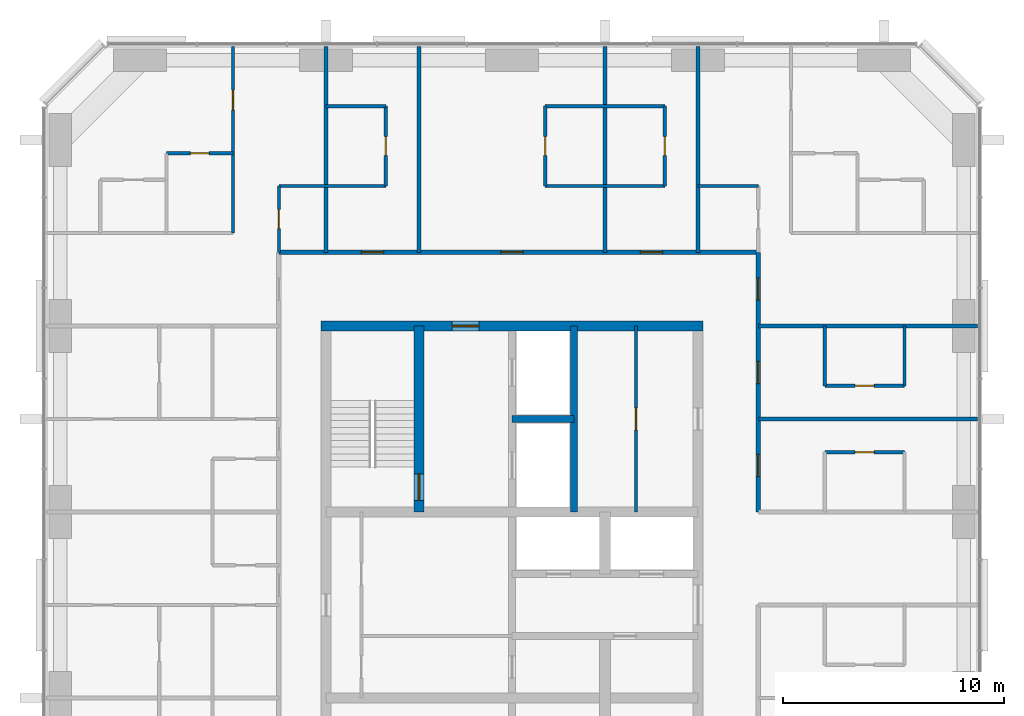
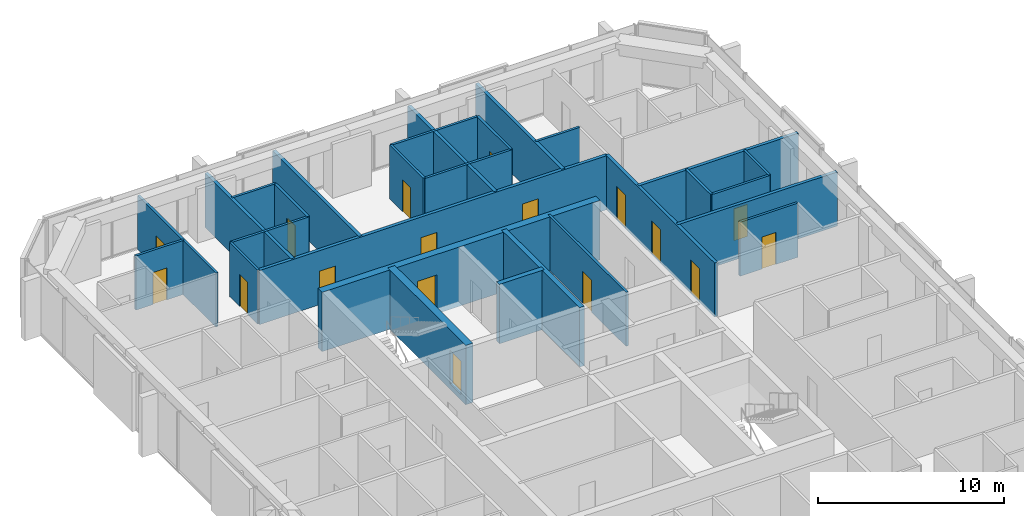
# One storey, part 10 of 12: 28 walls, 17 doors, 17 openings.
"""IFC4 building model written with IfcOpenShell, lengths in metres."""

from ifc_helpers import new_model, si_unit, direction, frame, frame_2d, origin, place, context, subcontext, project, spatial, rectangle, extrude, material, layer, layer_set, type_object, element, fill, save


model = new_model("IFC4")

# Units and contexts
model_context = context("Model", 3, precision=1e-05, world=origin(), true_north=direction((0.0, 1.0)))
body_context = subcontext(model_context, "Body", "Model", "MODEL_VIEW")
ifc_project = project(units=[si_unit("LENGTHUNIT", "METRE"), si_unit("AREAUNIT", "SQUARE_METRE"), si_unit("VOLUMEUNIT", "CUBIC_METRE"), si_unit("PLANEANGLEUNIT", "RADIAN"), si_unit("MASSUNIT", "GRAM", prefix="KILO")], contexts=[model_context])

# Site, building, storey
site_placement = place(None, origin())
site = spatial("IfcSite", under=ifc_project, at=site_placement, CompositionType="ELEMENT")
building_placement = place(site_placement, origin())
building = spatial("IfcBuilding", under=site, at=building_placement, Name="Dunama Terrace Hotel", CompositionType="ELEMENT")
storey_placement = place(building_placement, frame((0.0, 0.0, 256.800048828125)))
storey = spatial("IfcBuildingStorey", under=building, at=storey_placement, Name="L66", CompositionType="ELEMENT", Elevation=256.800048828125)

# Wall, opening, door
ifc_material_1 = material(Name="Gypsum board partition", Category="masonry")
ifc_layer_1 = layer(ifc_material_1, 0.14990234375)
ifc_layer_set_1 = layer_set([ifc_layer_1], Name="Bathroom partition 150")
wall_type_1 = type_object("IfcWallType", Name="Bathroom partition 150", PredefinedType="PARTITIONING", material=ifc_layer_set_1)
wall_1_placement = place(storey_placement, frame((23.074951171875, 45.324951171875, 0.0), z_axis=(0.0, 0.0, 1.0), x_axis=(0.0, 1.0, 0.0)))
wall_1 = element("IfcWall", 1, at=wall_1_placement, inside=storey, type_object=wall_type_1, Name="Bathroom partition 150 L66", PredefinedType="PARTITIONING", context=body_context, shape_type="SweptSolid", body=[
    extrude(rectangle(XDim=3.0, YDim=0.14990234375, at=frame_2d((1.5, 0.0))), origin(), (0.0, 0.0, 1.0), 3.550048828125),
])
opening_1_placement = place(wall_1_placement, frame((1.074951171875, 0.0, 0.0)))
opening_1 = element("IfcOpeningElement", 2, at=opening_1_placement, cuts=wall_1, Name="Opening L65-67-060", PredefinedType="OPENING", context=body_context, shape_type="SweptSolid", body=[
    extrude(rectangle(XDim=0.85009765625, YDim=2.10009765625, at=frame_2d((0.425048828125, 1.050048828125))), frame((0.0, 0.0849609375, 0.0), z_axis=(0.0, -1.0, 0.0), x_axis=(1.0, 0.0, 0.0)), (0.0, 0.0, 1.0), 0.169921875),
])
ifc_material_2 = material(Name="Timber door with steel frame", Category="steel")
door_type_1 = type_object("IfcDoorType", Name="Bathroom door 850", OperationType="SINGLE_SWING_LEFT", PredefinedType="DOOR", material=ifc_material_2)
door_1_placement = place(opening_1_placement, frame((0.85009765625, 0.0, 0.0), z_axis=(0.0, 0.0, 1.0), x_axis=(-1.0, 0.0, 0.0)))
door_1 = element("IfcDoor", 3, at=door_1_placement, inside=storey, type_object=door_type_1, Name="Door to powder room L65-67-060, type D2", OperationType="SINGLE_SWING_RIGHT", OverallHeight=2.10009765625, OverallWidth=0.85009765625, PredefinedType="DOOR", context=body_context, shape_type="SweptSolid", body=[
    extrude(rectangle(XDim=0.85009765625, YDim=2.10009765625, at=frame_2d((0.425048828125, 1.050048828125))), frame((0.0, 0.025146484375, 0.0), z_axis=(0.0, -1.0, 0.0), x_axis=(1.0, 0.0, 0.0)), (0.0, 0.0, 1.0), 0.050048828125),
])
fill(opening_1, door_1)

wall_2_placement = place(storey_placement, frame((27.89990234375, 48.324951171875, 0.0), z_axis=(0.0, 0.0, 1.0), x_axis=(0.0, 1.0, 0.0)))
wall_2 = element("IfcWall", 4, at=wall_2_placement, inside=storey, type_object=wall_type_1, Name="Bathroom partition 150 L66", PredefinedType="PARTITIONING", context=body_context, shape_type="SweptSolid", body=[
    extrude(rectangle(XDim=3.60009765625, YDim=0.14990234375, at=frame_2d((1.800048828125, 0.0))), origin(), (0.0, 0.0, 1.0), 3.550048828125),
])
opening_2_placement = place(wall_2_placement, frame((1.375, 0.0, 0.0)))
opening_2 = element("IfcOpeningElement", 5, at=opening_2_placement, cuts=wall_2, Name="Opening L65-67-024", PredefinedType="OPENING", context=body_context, shape_type="SweptSolid", body=[
    extrude(rectangle(XDim=0.85009765625, YDim=2.10009765625, at=frame_2d((0.425048828125, 1.050048828125))), frame((0.0, 0.0849609375, 0.0), z_axis=(0.0, -1.0, 0.0), x_axis=(1.0, 0.0, 0.0)), (0.0, 0.0, 1.0), 0.169921875),
])
door_2_placement = place(opening_2_placement, origin())
door_2 = element("IfcDoor", 6, at=door_2_placement, inside=storey, type_object=door_type_1, Name="Door to en-suite bathroom L65-67-024, type D2", OperationType="SINGLE_SWING_RIGHT", OverallHeight=2.10009765625, OverallWidth=0.85009765625, PredefinedType="DOOR", context=body_context, shape_type="SweptSolid", body=[
    extrude(rectangle(XDim=0.85009765625, YDim=2.10009765625, at=frame_2d((0.425048828125, 1.050048828125))), frame((0.0, 0.02490234375, 0.0), z_axis=(0.0, -1.0, 0.0), x_axis=(1.0, 0.0, 0.0)), (0.0, 0.0, 1.0), 0.050048828125),
])
fill(opening_2, door_2)

wall_3_placement = place(storey_placement, frame((35.10009765625, 48.324951171875, 0.0), z_axis=(0.0, 0.0, 1.0), x_axis=(0.0, 1.0, 0.0)))
wall_3 = element("IfcWall", 7, at=wall_3_placement, inside=storey, type_object=wall_type_1, Name="Bathroom partition 150 L66", PredefinedType="PARTITIONING", context=body_context, shape_type="SweptSolid", body=[
    extrude(rectangle(XDim=3.60009765625, YDim=0.14990234375, at=frame_2d((1.800048828125, 0.0))), origin(), (0.0, 0.0, 1.0), 3.550048828125),
])
opening_3_placement = place(wall_3_placement, frame((1.375, 0.0, 0.0)))
opening_3 = element("IfcOpeningElement", 8, at=opening_3_placement, cuts=wall_3, Name="Opening L65-67-026", PredefinedType="OPENING", context=body_context, shape_type="SweptSolid", body=[
    extrude(rectangle(XDim=0.85009765625, YDim=2.10009765625, at=frame_2d((0.425048828125, 1.050048828125))), frame((0.0, 0.0849609375, 0.0), z_axis=(0.0, -1.0, 0.0), x_axis=(1.0, 0.0, 0.0)), (0.0, 0.0, 1.0), 0.169921875),
])
door_3_placement = place(opening_3_placement, frame((0.85009765625, 0.0, 0.0), z_axis=(0.0, 0.0, 1.0), x_axis=(-1.0, 0.0, 0.0)))
door_3 = element("IfcDoor", 9, at=door_3_placement, inside=storey, type_object=door_type_1, Name="Door to en-suite bathroom L65-67-026, type D2", OperationType="SINGLE_SWING_LEFT", OverallHeight=2.10009765625, OverallWidth=0.85009765625, PredefinedType="DOOR", context=body_context, shape_type="SweptSolid", body=[
    extrude(rectangle(XDim=0.85009765625, YDim=2.10009765625, at=frame_2d((0.425048828125, 1.050048828125))), frame((0.0, 0.025146484375, 0.0), z_axis=(0.0, -1.0, 0.0), x_axis=(1.0, 0.0, 0.0)), (0.0, 0.0, 1.0), 0.050048828125),
])
fill(opening_3, door_3)

wall_4_placement = place(storey_placement, frame((40.5, 48.324951171875, 0.0), z_axis=(0.0, 0.0, 1.0), x_axis=(0.0, 1.0, 0.0)))
wall_4 = element("IfcWall", 10, at=wall_4_placement, inside=storey, type_object=wall_type_1, Name="Bathroom partition 150 L66", PredefinedType="PARTITIONING", context=body_context, shape_type="SweptSolid", body=[
    extrude(rectangle(XDim=3.60009765625, YDim=0.14990234375, at=frame_2d((1.800048828125, 0.0))), origin(), (0.0, 0.0, 1.0), 3.550048828125),
])
opening_4_placement = place(wall_4_placement, frame((1.375, 0.0, 0.0)))
opening_4 = element("IfcOpeningElement", 11, at=opening_4_placement, cuts=wall_4, Name="Opening L65-67-028", PredefinedType="OPENING", context=body_context, shape_type="SweptSolid", body=[
    extrude(rectangle(XDim=0.85009765625, YDim=2.10009765625, at=frame_2d((0.425048828125, 1.050048828125))), frame((0.0, 0.0849609375, 0.0), z_axis=(0.0, -1.0, 0.0), x_axis=(1.0, 0.0, 0.0)), (0.0, 0.0, 1.0), 0.169921875),
])
door_4_placement = place(opening_4_placement, origin())
door_4 = element("IfcDoor", 12, at=door_4_placement, inside=storey, type_object=door_type_1, Name="Door to en-suite bathroom L65-67-028, type D2", OperationType="SINGLE_SWING_RIGHT", OverallHeight=2.10009765625, OverallWidth=0.85009765625, PredefinedType="DOOR", context=body_context, shape_type="SweptSolid", body=[
    extrude(rectangle(XDim=0.85009765625, YDim=2.10009765625, at=frame_2d((0.425048828125, 1.050048828125))), frame((0.0, 0.02490234375, 0.0), z_axis=(0.0, -1.0, 0.0), x_axis=(1.0, 0.0, 0.0)), (0.0, 0.0, 1.0), 0.050048828125),
])
fill(opening_4, door_4)

# Walls
for number, where, z_axis, x_axis, name in (
    (13, (47.72509765625, 39.300048828125, 0.0), (0.0, 0.0, 1.0), (0.0, 1.0, 0.0), "Bathroom partition 150 L66"),
    (14, (51.324951171875, 39.300048828125, 0.0), (0.0, 0.0, 1.0), (0.0, 1.0, 0.0), "Bathroom partition 150 L66"),
):
    element("IfcWall", number, at=place(storey_placement, frame(where, z_axis=z_axis, x_axis=x_axis)), inside=storey, type_object=wall_type_1, Name=name, PredefinedType="PARTITIONING", context=body_context, shape_type="SweptSolid", body=[
        extrude(rectangle(XDim=2.699951171875, YDim=0.14990234375, at=frame_2d((1.35009765625, 0.0))), origin(), (0.0, 0.0, 1.0), 3.550048828125),
    ])

# Wall, opening, door
wall_5_placement = place(storey_placement, frame((47.72509765625, 36.300048828125, 0.0), z_axis=(0.0, 0.0, 1.0), x_axis=(1.0, 0.0, 0.0)))
wall_5 = element("IfcWall", 15, at=wall_5_placement, inside=storey, type_object=wall_type_1, Name="Bathroom partition 150 L66", PredefinedType="PARTITIONING", context=body_context, shape_type="SweptSolid", body=[
    extrude(rectangle(XDim=3.599853515625, YDim=0.14990234375, at=frame_2d((1.7998046875, 0.0))), origin(), (0.0, 0.0, 1.0), 3.550048828125),
])
opening_5_placement = place(wall_5_placement, frame((1.375, 0.0, 0.0)))
opening_5 = element("IfcOpeningElement", 16, at=opening_5_placement, cuts=wall_5, Name="Opening L65-67-020", PredefinedType="OPENING", context=body_context, shape_type="SweptSolid", body=[
    extrude(rectangle(XDim=0.85009765625, YDim=2.10009765625, at=frame_2d((0.425048828125, 1.050048828125))), frame((0.0, 0.0849609375, 0.0), z_axis=(0.0, -1.0, 0.0), x_axis=(1.0, 0.0, 0.0)), (0.0, 0.0, 1.0), 0.169921875),
])
door_5_placement = place(opening_5_placement, frame((0.85009765625, 0.0, 0.0), z_axis=(0.0, 0.0, 1.0), x_axis=(-1.0, 0.0, 0.0)))
door_5 = element("IfcDoor", 17, at=door_5_placement, inside=storey, type_object=door_type_1, Name="Door to en-suite bathroom L65-67-020, type D2", OperationType="SINGLE_SWING_RIGHT", OverallHeight=2.10009765625, OverallWidth=0.85009765625, PredefinedType="DOOR", context=body_context, shape_type="SweptSolid", body=[
    extrude(rectangle(XDim=0.85009765625, YDim=2.10009765625, at=frame_2d((0.425048828125, 1.050048828125))), frame((0.0, 0.025146484375, 0.0), z_axis=(0.0, -1.0, 0.0), x_axis=(1.0, 0.0, 0.0)), (0.0, 0.0, 1.0), 0.050048828125),
])
fill(opening_5, door_5)

wall_6_placement = place(storey_placement, frame((47.72509765625, 39.300048828125, 0.0), z_axis=(0.0, 0.0, 1.0), x_axis=(1.0, 0.0, 0.0)))
wall_6 = element("IfcWall", 18, at=wall_6_placement, inside=storey, type_object=wall_type_1, Name="Bathroom partition 150 L66", PredefinedType="PARTITIONING", context=body_context, shape_type="SweptSolid", body=[
    extrude(rectangle(XDim=3.599853515625, YDim=0.14990234375, at=frame_2d((1.7998046875, 0.0))), origin(), (0.0, 0.0, 1.0), 3.550048828125),
])
opening_6_placement = place(wall_6_placement, frame((1.375, 0.0, 0.0)))
opening_6 = element("IfcOpeningElement", 19, at=opening_6_placement, cuts=wall_6, Name="Opening L65-67-022", PredefinedType="OPENING", context=body_context, shape_type="SweptSolid", body=[
    extrude(rectangle(XDim=0.85009765625, YDim=2.10009765625, at=frame_2d((0.425048828125, 1.050048828125))), frame((0.0, 0.0849609375, 0.0), z_axis=(0.0, -1.0, 0.0), x_axis=(1.0, 0.0, 0.0)), (0.0, 0.0, 1.0), 0.169921875),
])
door_6_placement = place(opening_6_placement, origin())
door_6 = element("IfcDoor", 20, at=door_6_placement, inside=storey, type_object=door_type_1, Name="Door to en-suite bathroom L65-67-022, type D2", OperationType="SINGLE_SWING_LEFT", OverallHeight=2.10009765625, OverallWidth=0.85009765625, PredefinedType="DOOR", context=body_context, shape_type="SweptSolid", body=[
    extrude(rectangle(XDim=0.85009765625, YDim=2.10009765625, at=frame_2d((0.425048828125, 1.050048828125))), frame((0.0, 0.02490234375, 0.0), z_axis=(0.0, -1.0, 0.0), x_axis=(1.0, 0.0, 0.0)), (0.0, 0.0, 1.0), 0.050048828125),
])
fill(opening_6, door_6)

# Walls
wall_7_placement = place(storey_placement, frame((23.074951171875, 48.324951171875, 0.0), z_axis=(0.0, 0.0, 1.0), x_axis=(1.0, 0.0, 0.0)))
element("IfcWall", 21, at=wall_7_placement, inside=storey, type_object=wall_type_1, Name="Bathroom partition 150 L66", PredefinedType="PARTITIONING", context=body_context, shape_type="SweptSolid", body=[
    extrude(rectangle(XDim=4.824951171875, YDim=0.14990234375, at=frame_2d((2.41259765625, 0.0))), origin(), (0.0, 0.0, 1.0), 3.550048828125),
])
wall_8_placement = place(storey_placement, frame((35.10009765625, 48.324951171875, 0.0), z_axis=(0.0, 0.0, 1.0), x_axis=(1.0, 0.0, 0.0)))
element("IfcWall", 22, at=wall_8_placement, inside=storey, type_object=wall_type_1, Name="Bathroom partition 150 L66", PredefinedType="PARTITIONING", context=body_context, shape_type="SweptSolid", body=[
    extrude(rectangle(XDim=5.39990234375, YDim=0.14990234375, at=frame_2d((2.699951171875, 0.0))), origin(), (0.0, 0.0, 1.0), 3.550048828125),
])
wall_9_placement = place(storey_placement, frame((42.0, 48.324951171875, 0.0), z_axis=(0.0, 0.0, 1.0), x_axis=(1.0, 0.0, 0.0)))
element("IfcWall", 23, at=wall_9_placement, inside=storey, type_object=wall_type_1, Name="Bathroom partition 150 L66", PredefinedType="PARTITIONING", context=body_context, shape_type="SweptSolid", body=[
    extrude(rectangle(XDim=2.72509765625, YDim=0.14990234375, at=frame_2d((1.362548828125, 0.0))), origin(), (0.0, 0.0, 1.0), 3.550048828125),
])

# Wall, opening, door
wall_10_placement = place(storey_placement, frame((18.0, 49.800048828125, 0.0), z_axis=(0.0, 0.0, 1.0), x_axis=(1.0, 0.0, 0.0)))
wall_10 = element("IfcWall", 24, at=wall_10_placement, inside=storey, type_object=wall_type_1, Name="Bathroom partition 150 L66", PredefinedType="PARTITIONING", context=body_context, shape_type="SweptSolid", body=[
    extrude(rectangle(XDim=3.0, YDim=0.14990234375, at=frame_2d((1.5, 0.0))), origin(), (0.0, 0.0, 1.0), 3.550048828125),
])
opening_7_placement = place(wall_10_placement, frame((1.074951171875, 0.0, 0.0)))
opening_7 = element("IfcOpeningElement", 25, at=opening_7_placement, cuts=wall_10, Name="Opening L65-67-062", PredefinedType="OPENING", context=body_context, shape_type="SweptSolid", body=[
    extrude(rectangle(XDim=0.85009765625, YDim=2.10009765625, at=frame_2d((0.425048828125, 1.050048828125))), frame((0.0, 0.0849609375, 0.0), z_axis=(0.0, -1.0, 0.0), x_axis=(1.0, 0.0, 0.0)), (0.0, 0.0, 1.0), 0.169921875),
])
door_7_placement = place(opening_7_placement, frame((0.85009765625, 0.0, 0.0), z_axis=(0.0, 0.0, 1.0), x_axis=(-1.0, 0.0, 0.0)))
door_7 = element("IfcDoor", 26, at=door_7_placement, inside=storey, type_object=door_type_1, Name="Door to en-suite bathroom L65-67-062, type D2", OperationType="SINGLE_SWING_RIGHT", OverallHeight=2.10009765625, OverallWidth=0.85009765625, PredefinedType="DOOR", context=body_context, shape_type="SweptSolid", body=[
    extrude(rectangle(XDim=0.85009765625, YDim=2.10009765625, at=frame_2d((0.425048828125, 1.050048828125))), frame((0.0, 0.025146484375, 0.0), z_axis=(0.0, -1.0, 0.0), x_axis=(1.0, 0.0, 0.0)), (0.0, 0.0, 1.0), 0.050048828125),
])
fill(opening_7, door_7)

# Walls
wall_11_placement = place(storey_placement, frame((25.199951171875, 51.925048828125, 0.0), z_axis=(0.0, 0.0, 1.0), x_axis=(1.0, 0.0, 0.0)))
element("IfcWall", 27, at=wall_11_placement, inside=storey, type_object=wall_type_1, Name="Bathroom partition 150 L66", PredefinedType="PARTITIONING", context=body_context, shape_type="SweptSolid", body=[
    extrude(rectangle(XDim=2.699951171875, YDim=0.14990234375, at=frame_2d((1.35009765625, 0.0))), origin(), (0.0, 0.0, 1.0), 3.550048828125),
])
wall_12_placement = place(storey_placement, frame((35.10009765625, 51.925048828125, 0.0), z_axis=(0.0, 0.0, 1.0), x_axis=(1.0, 0.0, 0.0)))
element("IfcWall", 28, at=wall_12_placement, inside=storey, type_object=wall_type_1, Name="Bathroom partition 150 L66", PredefinedType="PARTITIONING", context=body_context, shape_type="SweptSolid", body=[
    extrude(rectangle(XDim=5.39990234375, YDim=0.14990234375, at=frame_2d((2.699951171875, 0.0))), origin(), (0.0, 0.0, 1.0), 3.550048828125),
])
ifc_material_3 = material(Name="Concrete C50/60", Category="concrete")
ifc_layer_2 = layer(ifc_material_3, 0.300048828125)
ifc_layer_set_2 = layer_set([ifc_layer_2], Name="Core inner wall 300")
wall_type_2 = type_object("IfcWallType", Name="Core inner wall 300", PredefinedType="SHEAR", material=ifc_layer_set_2)
wall_13_placement = place(storey_placement, frame((36.39990234375, 33.60009765625, -0.35009765625), z_axis=(0.0, 0.0, 1.0), x_axis=(0.0, 1.0, 0.0)))
element("IfcWall", 29, at=wall_13_placement, inside=storey, type_object=wall_type_2, Name="Core inner wall 300 L66", PredefinedType="SHEAR", context=body_context, shape_type="SweptSolid", body=[
    extrude(rectangle(XDim=8.39990234375, YDim=0.300048828125, at=frame_2d((4.199951171875, 0.0))), origin(), (0.0, 0.0, 1.0), 3.900146484375),
])
wall_14_placement = place(storey_placement, frame((33.60009765625, 37.800048828125, -0.35009765625), z_axis=(0.0, 0.0, 1.0), x_axis=(1.0, 0.0, 0.0)))
element("IfcWall", 30, at=wall_14_placement, inside=storey, type_object=wall_type_2, Name="Core inner wall 300 L66", PredefinedType="SHEAR", context=body_context, shape_type="SweptSolid", body=[
    extrude(rectangle(XDim=2.7998046875, YDim=0.300048828125, at=frame_2d((1.39990234375, 0.0))), origin(), (0.0, 0.0, 1.0), 3.900146484375),
])

# Wall, opening, door
ifc_material_4 = material(Name="Concrete C50/60", Category="concrete")
ifc_layer_3 = layer(ifc_material_4, 0.449951171875)
ifc_layer_set_3 = layer_set([ifc_layer_3], Name="Core inner wall 450")
wall_type_3 = type_object("IfcWallType", Name="Core inner wall 450", PredefinedType="SHEAR", material=ifc_layer_set_3)
wall_15_placement = place(storey_placement, frame((29.39990234375, 33.60009765625, -0.35009765625), z_axis=(0.0, 0.0, 1.0), x_axis=(0.0, 1.0, 0.0)))
wall_15 = element("IfcWall", 31, at=wall_15_placement, inside=storey, type_object=wall_type_3, Name="Core inner wall 450 L66", PredefinedType="SHEAR", context=body_context, shape_type="SweptSolid", body=[
    extrude(rectangle(XDim=8.39990234375, YDim=0.449951171875, at=frame_2d((4.199951171875, 0.0))), origin(), (0.0, 0.0, 1.0), 3.900146484375),
])
opening_8_placement = place(wall_15_placement, frame((0.52490234375, 0.0, 0.35009765625)))
opening_8 = element("IfcOpeningElement", 32, at=opening_8_placement, cuts=wall_15, Name="Opening L65-67-001", PredefinedType="OPENING", context=body_context, shape_type="SweptSolid", body=[
    extrude(rectangle(XDim=1.199951171875, YDim=2.199951171875, at=frame_2d((0.60009765625, 1.10009765625))), frame((0.0, 0.23486328125, 0.0), z_axis=(0.0, -1.0, 0.0), x_axis=(1.0, 0.0, 0.0)), (0.0, 0.0, 1.0), 0.469970703125),
])
ifc_material_5 = material(Name="Timber door with steel frame", Category="steel")
door_type_2 = type_object("IfcDoorType", Name="Stair door 1200", OperationType="SINGLE_SWING_LEFT", PredefinedType="DOOR", material=ifc_material_5)
door_8_placement = place(opening_8_placement, origin())
door_8 = element("IfcDoor", 33, at=door_8_placement, inside=storey, type_object=door_type_2, Name="Stair door ST1 L65-67-001, type D5", OperationType="SINGLE_SWING_LEFT", OverallHeight=2.199951171875, OverallWidth=1.199951171875, PredefinedType="DOOR", context=body_context, shape_type="SweptSolid", body=[
    extrude(rectangle(XDim=1.199951171875, YDim=2.199951171875, at=frame_2d((0.60009765625, 1.10009765625))), frame((0.0, 0.02490234375, 0.0), z_axis=(0.0, -1.0, 0.0), x_axis=(1.0, 0.0, 0.0)), (0.0, 0.0, 1.0), 0.050048828125),
])
fill(opening_8, door_8)

ifc_material_6 = material(Name="Concrete C50/60", Category="concrete")
ifc_layer_4 = layer(ifc_material_6, 0.449951171875)
ifc_layer_set_4 = layer_set([ifc_layer_4], Name="Core wall 450")
wall_type_4 = type_object("IfcWallType", Name="Core wall 450", PredefinedType="SHEAR", material=ifc_layer_set_4)
wall_16_placement = place(storey_placement, frame((42.22509765625, 42.0, -0.35009765625), z_axis=(0.0, 0.0, 1.0), x_axis=(-1.0, 0.0, 0.0)))
wall_16 = element("IfcWall", 34, at=wall_16_placement, inside=storey, type_object=wall_type_4, Name="Core wall north L66", PredefinedType="SHEAR", context=body_context, shape_type="SweptSolid", body=[
    extrude(rectangle(XDim=17.25, YDim=0.449951171875, at=frame_2d((8.625, 0.0))), origin(), (0.0, 0.0, 1.0), 3.900146484375),
])
opening_9_placement = place(wall_16_placement, frame((10.125, 0.0, 0.35009765625)))
opening_9 = element("IfcOpeningElement", 35, at=opening_9_placement, cuts=wall_16, Name="Opening L65-67-070", PredefinedType="OPENING", context=body_context, shape_type="SweptSolid", body=[
    extrude(rectangle(XDim=1.199951171875, YDim=2.199951171875, at=frame_2d((0.60009765625, 1.10009765625))), frame((0.0, 0.23486328125, 0.0), z_axis=(0.0, -1.0, 0.0), x_axis=(1.0, 0.0, 0.0)), (0.0, 0.0, 1.0), 0.469970703125),
])
ifc_material_7 = material(Name="Timber door with steel frame", Category="steel")
door_type_3 = type_object("IfcDoorType", Name="Firefighting lobby door 1200", OperationType="SINGLE_SWING_LEFT", PredefinedType="DOOR", material=ifc_material_7)
door_9_placement = place(opening_9_placement, origin())
door_9 = element("IfcDoor", 36, at=door_9_placement, inside=storey, type_object=door_type_3, Name="Door to firefighting lobby L65-67-070, type D4", OperationType="SINGLE_SWING_RIGHT", OverallHeight=2.199951171875, OverallWidth=1.199951171875, PredefinedType="DOOR", context=body_context, shape_type="SweptSolid", body=[
    extrude(rectangle(XDim=1.199951171875, YDim=2.199951171875, at=frame_2d((0.60009765625, 1.10009765625))), frame((0.0, 0.02490234375, 0.0), z_axis=(0.0, -1.0, 0.0), x_axis=(1.0, 0.0, 0.0)), (0.0, 0.0, 1.0), 0.050048828125),
])
fill(opening_9, door_9)

# Wall, openings, doors
ifc_material_8 = material(Name="Concrete blockwork", Category="masonry")
ifc_layer_5 = layer(ifc_material_8, 0.199951171875)
ifc_layer_set_5 = layer_set([ifc_layer_5], Name="Corridor partition 200")
wall_type_5 = type_object("IfcWallType", Name="Corridor partition 200", PredefinedType="PARTITIONING", material=ifc_layer_set_5)
wall_17_placement = place(storey_placement, frame((23.074951171875, 45.324951171875, 0.0), z_axis=(0.0, 0.0, 1.0), x_axis=(1.0, 0.0, 0.0)))
wall_17 = element("IfcWall", 37, at=wall_17_placement, inside=storey, type_object=wall_type_5, Name="Corridor partition 200 L66", PredefinedType="PARTITIONING", context=body_context, shape_type="SweptSolid", body=[
    extrude(rectangle(XDim=21.650146484375, YDim=0.199951171875, at=frame_2d((10.8251953125, 0.0))), origin(), (0.0, 0.0, 1.0), 3.550048828125),
])
opening_10_placement = place(wall_17_placement, frame((3.72509765625, 0.0, 0.0)))
opening_10 = element("IfcOpeningElement", 38, at=opening_10_placement, cuts=wall_17, Name="Opening L65-67-023", PredefinedType="OPENING", context=body_context, shape_type="SweptSolid", body=[
    extrude(rectangle(XDim=1.0, YDim=2.199951171875, at=frame_2d((0.5, 1.10009765625))), frame((0.0, 0.10986328125, 0.0), z_axis=(0.0, -1.0, 0.0), x_axis=(1.0, 0.0, 0.0)), (0.0, 0.0, 1.0), 0.219970703125),
])
opening_11_placement = place(wall_17_placement, frame((10.02490234375, 0.0, 0.0)))
opening_11 = element("IfcOpeningElement", 39, at=opening_11_placement, cuts=wall_17, Name="Opening L65-67-025", PredefinedType="OPENING", context=body_context, shape_type="SweptSolid", body=[
    extrude(rectangle(XDim=1.0, YDim=2.199951171875, at=frame_2d((0.5, 1.10009765625))), frame((0.0, 0.10986328125, 0.0), z_axis=(0.0, -1.0, 0.0), x_axis=(1.0, 0.0, 0.0)), (0.0, 0.0, 1.0), 0.219970703125),
])
opening_12_placement = place(wall_17_placement, frame((16.324951171875, 0.0, 0.0)))
opening_12 = element("IfcOpeningElement", 40, at=opening_12_placement, cuts=wall_17, Name="Opening L65-67-027", PredefinedType="OPENING", context=body_context, shape_type="SweptSolid", body=[
    extrude(rectangle(XDim=1.0, YDim=2.199951171875, at=frame_2d((0.5, 1.10009765625))), frame((0.0, 0.10986328125, 0.0), z_axis=(0.0, -1.0, 0.0), x_axis=(1.0, 0.0, 0.0)), (0.0, 0.0, 1.0), 0.219970703125),
])
ifc_material_9 = material(Name="Timber door with steel frame", Category="steel")
door_type_4 = type_object("IfcDoorType", Name="Guest room door 1000", OperationType="SINGLE_SWING_LEFT", PredefinedType="DOOR", material=ifc_material_9)
door_10_placement = place(opening_10_placement, origin())
door_10 = element("IfcDoor", 41, at=door_10_placement, inside=storey, type_object=door_type_4, Name="Door to studio suite L65-67-023, type D1", OperationType="SINGLE_SWING_RIGHT", OverallHeight=2.199951171875, OverallWidth=1.0, PredefinedType="DOOR", context=body_context, shape_type="SweptSolid", body=[
    extrude(rectangle(XDim=1.0, YDim=2.199951171875, at=frame_2d((0.5, 1.10009765625))), frame((0.0, 0.02490234375, 0.0), z_axis=(0.0, -1.0, 0.0), x_axis=(1.0, 0.0, 0.0)), (0.0, 0.0, 1.0), 0.050048828125),
])
fill(opening_10, door_10)
door_11_placement = place(opening_11_placement, origin())
door_11 = element("IfcDoor", 42, at=door_11_placement, inside=storey, type_object=door_type_4, Name="Door to junior suite L65-67-025, type D1", OperationType="SINGLE_SWING_RIGHT", OverallHeight=2.199951171875, OverallWidth=1.0, PredefinedType="DOOR", context=body_context, shape_type="SweptSolid", body=[
    extrude(rectangle(XDim=1.0, YDim=2.199951171875, at=frame_2d((0.5, 1.10009765625))), frame((0.0, 0.02490234375, 0.0), z_axis=(0.0, -1.0, 0.0), x_axis=(1.0, 0.0, 0.0)), (0.0, 0.0, 1.0), 0.050048828125),
])
fill(opening_11, door_11)
door_12_placement = place(opening_12_placement, origin())
door_12 = element("IfcDoor", 43, at=door_12_placement, inside=storey, type_object=door_type_4, Name="Door to studio suite L65-67-027, type D1", OperationType="SINGLE_SWING_LEFT", OverallHeight=2.199951171875, OverallWidth=1.0, PredefinedType="DOOR", context=body_context, shape_type="SweptSolid", body=[
    extrude(rectangle(XDim=1.0, YDim=2.199951171875, at=frame_2d((0.5, 1.10009765625))), frame((0.0, 0.02490234375, 0.0), z_axis=(0.0, -1.0, 0.0), x_axis=(1.0, 0.0, 0.0)), (0.0, 0.0, 1.0), 0.050048828125),
])
fill(opening_12, door_12)

wall_18_placement = place(storey_placement, frame((44.72509765625, 45.324951171875, 0.0), z_axis=(0.0, 0.0, 1.0), x_axis=(0.0, -1.0, 0.0)))
wall_18 = element("IfcWall", 44, at=wall_18_placement, inside=storey, type_object=wall_type_5, Name="Corridor partition 200 L66", PredefinedType="PARTITIONING", context=body_context, shape_type="SweptSolid", body=[
    extrude(rectangle(XDim=11.724853515625, YDim=0.199951171875, at=frame_2d((5.8623046875, 0.0))), origin(), (0.0, 0.0, 1.0), 3.550048828125),
])
opening_13_placement = place(wall_18_placement, frame((9.125, 0.0, 0.0)))
opening_13 = element("IfcOpeningElement", 45, at=opening_13_placement, cuts=wall_18, Name="Opening L65-67-019", PredefinedType="OPENING", context=body_context, shape_type="SweptSolid", body=[
    extrude(rectangle(XDim=1.0, YDim=2.199951171875, at=frame_2d((0.5, 1.10009765625))), frame((0.0, 0.10986328125, 0.0), z_axis=(0.0, -1.0, 0.0), x_axis=(1.0, 0.0, 0.0)), (0.0, 0.0, 1.0), 0.219970703125),
])
opening_14_placement = place(wall_18_placement, frame((4.925048828125, 0.0, 0.0)))
opening_14 = element("IfcOpeningElement", 46, at=opening_14_placement, cuts=wall_18, Name="Opening L65-67-021", PredefinedType="OPENING", context=body_context, shape_type="SweptSolid", body=[
    extrude(rectangle(XDim=1.0, YDim=2.199951171875, at=frame_2d((0.5, 1.10009765625))), frame((0.0, 0.10986328125, 0.0), z_axis=(0.0, -1.0, 0.0), x_axis=(1.0, 0.0, 0.0)), (0.0, 0.0, 1.0), 0.219970703125),
])
opening_15_placement = place(wall_18_placement, frame((1.162109375, 0.0, 0.0)))
opening_15 = element("IfcOpeningElement", 47, at=opening_15_placement, cuts=wall_18, Name="Opening L65-67-054", PredefinedType="OPENING", context=body_context, shape_type="SweptSolid", body=[
    extrude(rectangle(XDim=1.0, YDim=2.199951171875, at=frame_2d((0.5, 1.10009765625))), frame((0.0, 0.10986328125, 0.0), z_axis=(0.0, -1.0, 0.0), x_axis=(1.0, 0.0, 0.0)), (0.0, 0.0, 1.0), 0.219970703125),
])
door_13_placement = place(opening_13_placement, origin())
door_13 = element("IfcDoor", 48, at=door_13_placement, inside=storey, type_object=door_type_4, Name="Door to studio suite L65-67-019, type D1", OperationType="SINGLE_SWING_LEFT", OverallHeight=2.199951171875, OverallWidth=1.0, PredefinedType="DOOR", context=body_context, shape_type="SweptSolid", body=[
    extrude(rectangle(XDim=1.0, YDim=2.199951171875, at=frame_2d((0.5, 1.10009765625))), frame((0.0, 0.02490234375, 0.0), z_axis=(0.0, -1.0, 0.0), x_axis=(1.0, 0.0, 0.0)), (0.0, 0.0, 1.0), 0.050048828125),
])
fill(opening_13, door_13)
door_14_placement = place(opening_14_placement, origin())
door_14 = element("IfcDoor", 49, at=door_14_placement, inside=storey, type_object=door_type_4, Name="Door to studio suite L65-67-021, type D1", OperationType="SINGLE_SWING_LEFT", OverallHeight=2.199951171875, OverallWidth=1.0, PredefinedType="DOOR", context=body_context, shape_type="SweptSolid", body=[
    extrude(rectangle(XDim=1.0, YDim=2.199951171875, at=frame_2d((0.5, 1.10009765625))), frame((0.0, 0.02490234375, 0.0), z_axis=(0.0, -1.0, 0.0), x_axis=(1.0, 0.0, 0.0)), (0.0, 0.0, 1.0), 0.050048828125),
])
fill(opening_14, door_14)
door_15_placement = place(opening_15_placement, origin())
door_15 = element("IfcDoor", 50, at=door_15_placement, inside=storey, type_object=door_type_4, Name="Door to grand corner suite living room L65-67-054, type D1", OperationType="SINGLE_SWING_LEFT", OverallHeight=2.199951171875, OverallWidth=1.0, PredefinedType="DOOR", context=body_context, shape_type="SweptSolid", body=[
    extrude(rectangle(XDim=1.0, YDim=2.199951171875, at=frame_2d((0.5, 1.10009765625))), frame((0.0, 0.02490234375, 0.0), z_axis=(0.0, -1.0, 0.0), x_axis=(1.0, 0.0, 0.0)), (0.0, 0.0, 1.0), 0.050048828125),
])
fill(opening_15, door_15)

# Walls
ifc_material_10 = material(Name="Concrete blockwork", Category="masonry")
ifc_layer_6 = layer(ifc_material_10, 0.199951171875)
ifc_layer_set_6 = layer_set([ifc_layer_6], Name="Party wall 200")
wall_type_6 = type_object("IfcWallType", Name="Party wall 200", PredefinedType="PARTITIONING", material=ifc_layer_set_6)
for number, where, z_axis, x_axis, name in (
    (51, (25.199951171875, 45.324951171875, 0.0), (0.0, 0.0, 1.0), (0.0, 1.0, 0.0), "Party wall 200 L66"),
    (52, (29.39990234375, 45.324951171875, 0.0), (0.0, 0.0, 1.0), (0.0, 1.0, 0.0), "Party wall 200 L66"),
    (53, (37.800048828125, 45.324951171875, 0.0), (0.0, 0.0, 1.0), (0.0, 1.0, 0.0), "Party wall 200 L66"),
    (54, (42.0, 45.324951171875, 0.0), (0.0, 0.0, 1.0), (0.0, 1.0, 0.0), "Party wall 200 L66"),
):
    element("IfcWall", number, at=place(storey_placement, frame(where, z_axis=z_axis, x_axis=x_axis)), inside=storey, type_object=wall_type_6, Name=name, PredefinedType="PARTITIONING", context=body_context, shape_type="SweptSolid", body=[
        extrude(rectangle(XDim=9.29296875, YDim=0.199951171875, at=frame_2d((4.646484375, 0.0))), origin(), (0.0, 0.0, 1.0), 3.550048828125),
    ])
for number, where, z_axis, x_axis, name in (
    (55, (44.72509765625, 37.800048828125, 0.0), (0.0, 0.0, 1.0), (1.0, 0.0, 0.0), "Party wall 200 L66"),
    (56, (44.72509765625, 42.0, 0.0), (0.0, 0.0, 1.0), (1.0, 0.0, 0.0), "Party wall 200 L66"),
):
    element("IfcWall", number, at=place(storey_placement, frame(where, z_axis=z_axis, x_axis=x_axis)), inside=storey, type_object=wall_type_6, Name=name, PredefinedType="PARTITIONING", context=body_context, shape_type="SweptSolid", body=[
        extrude(rectangle(XDim=9.892822265625, YDim=0.199951171875, at=frame_2d((4.9462890625, 0.0))), origin(), (0.0, 0.0, 1.0), 3.550048828125),
    ])

# Wall, opening, door
ifc_material_11 = material(Name="Gypsum board partition", Category="masonry")
ifc_layer_7 = layer(ifc_material_11, 0.14990234375)
ifc_layer_set_7 = layer_set([ifc_layer_7], Name="Room partition 150")
wall_type_7 = type_object("IfcWallType", Name="Room partition 150", PredefinedType="PARTITIONING", material=ifc_layer_set_7)
wall_19_placement = place(storey_placement, frame((21.0, 46.199951171875, 0.0), z_axis=(0.0, 0.0, 1.0), x_axis=(0.0, 1.0, 0.0)))
wall_19 = element("IfcWall", 57, at=wall_19_placement, inside=storey, type_object=wall_type_7, Name="Room partition 150 L66", PredefinedType="PARTITIONING", context=body_context, shape_type="SweptSolid", body=[
    extrude(rectangle(XDim=8.41796875, YDim=0.14990234375, at=frame_2d((4.208984375, 0.0))), origin(), (0.0, 0.0, 1.0), 3.550048828125),
])
opening_16_placement = place(wall_19_placement, frame((5.550048828125, 0.0, 0.0)))
opening_16 = element("IfcOpeningElement", 58, at=opening_16_placement, cuts=wall_19, Name="Opening L65-67-061", PredefinedType="OPENING", context=body_context, shape_type="SweptSolid", body=[
    extrude(rectangle(XDim=0.89990234375, YDim=2.10009765625, at=frame_2d((0.449951171875, 1.050048828125))), frame((0.0, 0.0849609375, 0.0), z_axis=(0.0, -1.0, 0.0), x_axis=(1.0, 0.0, 0.0)), (0.0, 0.0, 1.0), 0.169921875),
])
ifc_material_12 = material(Name="Timber door with steel frame", Category="steel")
door_type_5 = type_object("IfcDoorType", Name="Suite internal door 900", OperationType="SINGLE_SWING_LEFT", PredefinedType="DOOR", material=ifc_material_12)
door_16_placement = place(opening_16_placement, origin())
door_16 = element("IfcDoor", 59, at=door_16_placement, inside=storey, type_object=door_type_5, Name="Door to grand corner suite bedroom L65-67-061, type D16", OperationType="SINGLE_SWING_LEFT", OverallHeight=2.10009765625, OverallWidth=0.89990234375, PredefinedType="DOOR", context=body_context, shape_type="SweptSolid", body=[
    extrude(rectangle(XDim=0.89990234375, YDim=2.10009765625, at=frame_2d((0.449951171875, 1.050048828125))), frame((0.0, 0.02490234375, 0.0), z_axis=(0.0, -1.0, 0.0), x_axis=(1.0, 0.0, 0.0)), (0.0, 0.0, 1.0), 0.050048828125),
])
fill(opening_16, door_16)

wall_20_placement = place(storey_placement, frame((39.199951171875, 33.60009765625, 0.0), z_axis=(0.0, 0.0, 1.0), x_axis=(0.0, 1.0, 0.0)))
wall_20 = element("IfcWall", 60, at=wall_20_placement, inside=storey, type_object=wall_type_7, Name="Room partition 150 L66", PredefinedType="PARTITIONING", context=body_context, shape_type="SweptSolid", body=[
    extrude(rectangle(XDim=8.39990234375, YDim=0.14990234375, at=frame_2d((4.199951171875, 0.0))), origin(), (0.0, 0.0, 1.0), 3.550048828125),
])
opening_17_placement = place(wall_20_placement, frame((3.699951171875, 0.0, 0.0)))
opening_17 = element("IfcOpeningElement", 61, at=opening_17_placement, cuts=wall_20, Name="Opening L65-67-072", PredefinedType="OPENING", context=body_context, shape_type="SweptSolid", body=[
    extrude(rectangle(XDim=1.0, YDim=2.10009765625, at=frame_2d((0.5, 1.050048828125))), frame((0.0, 0.0849609375, 0.0), z_axis=(0.0, -1.0, 0.0), x_axis=(1.0, 0.0, 0.0)), (0.0, 0.0, 1.0), 0.169921875),
])
ifc_material_13 = material(Name="Timber door with steel frame", Category="steel")
door_type_6 = type_object("IfcDoorType", Name="Service door 1000", OperationType="SINGLE_SWING_LEFT", PredefinedType="DOOR", material=ifc_material_13)
door_17_placement = place(opening_17_placement, frame((1.0, 0.0, 0.0), z_axis=(0.0, 0.0, 1.0), x_axis=(-1.0, 0.0, 0.0)))
door_17 = element("IfcDoor", 62, at=door_17_placement, inside=storey, type_object=door_type_6, Name="Door to luggage store L65-67-072, type D7", OperationType="SINGLE_SWING_RIGHT", OverallHeight=2.10009765625, OverallWidth=1.0, PredefinedType="DOOR", context=body_context, shape_type="SweptSolid", body=[
    extrude(rectangle(XDim=1.0, YDim=2.10009765625, at=frame_2d((0.5, 1.050048828125))), frame((0.0, 0.025146484375, 0.0), z_axis=(0.0, -1.0, 0.0), x_axis=(1.0, 0.0, 0.0)), (0.0, 0.0, 1.0), 0.050048828125),
])
fill(opening_17, door_17)

save(model, "model.ifc")
